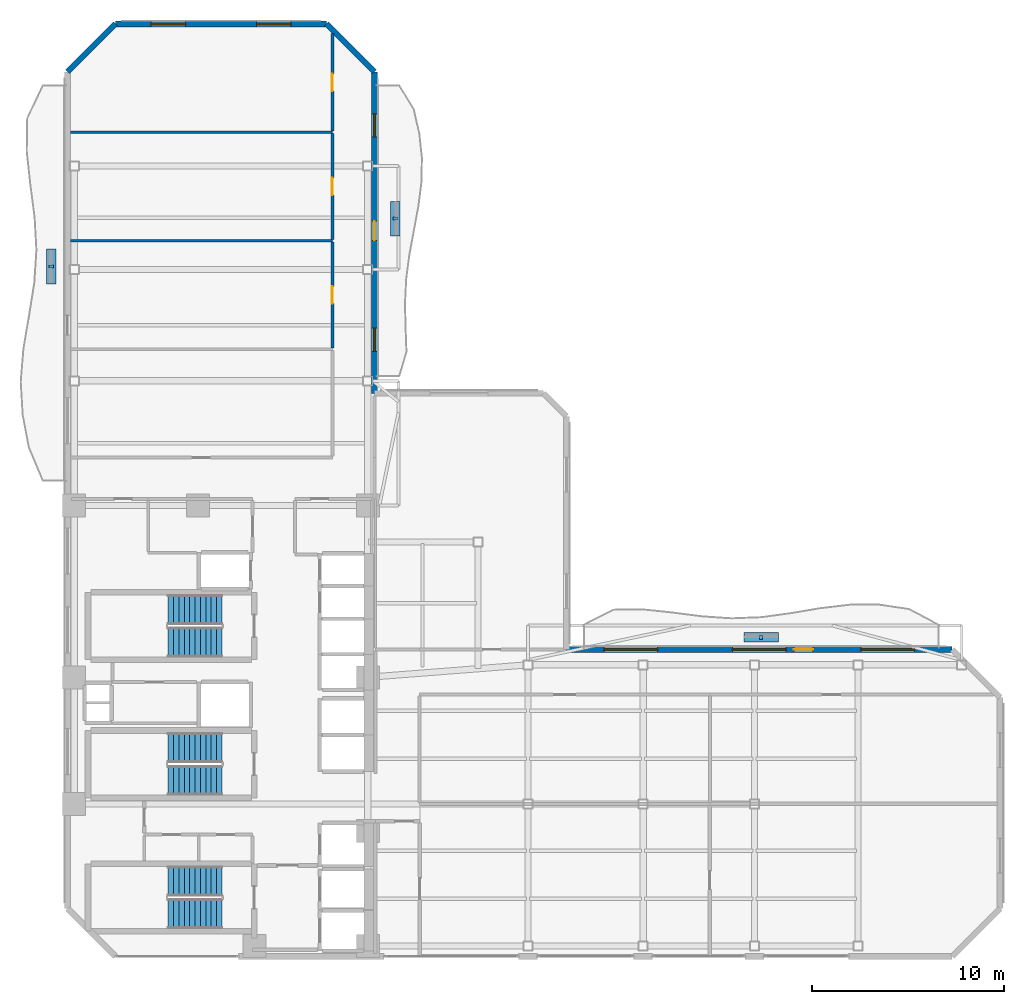
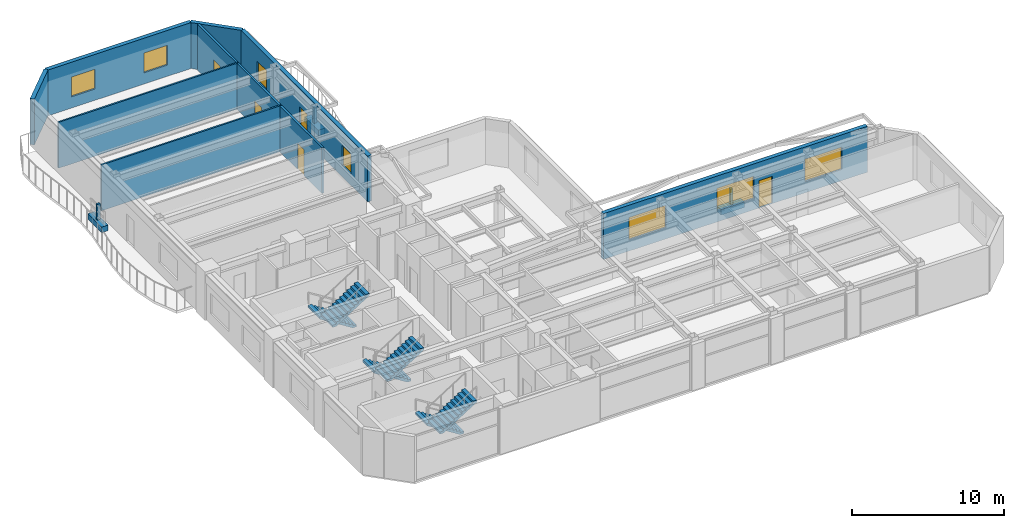
# One storey, part 12 of 15: 10 walls, 7 windows, 6 discrete accessories, 6 stair flights, 5 doors, 12 openings, 3 elements without a shape of their own.
"""IFC4 building model written with IfcOpenShell, lengths in metres."""

from ifc_helpers import new_model, si_unit, direction, frame, frame_2d, origin, origin_2d, place, context, subcontext, project, spatial, polyline, rectangle, outline, extrude, material, layer, layer_set, type_object, element, fill, aggregate, save


model = new_model("IFC4")

# Units and contexts
model_context = context("Model", 3, precision=1e-05, world=origin(), true_north=direction((0.0, 1.0)))
body_context = subcontext(model_context, "Body", "Model", "MODEL_VIEW")
ifc_project = project(units=[si_unit("LENGTHUNIT", "METRE"), si_unit("AREAUNIT", "SQUARE_METRE"), si_unit("VOLUMEUNIT", "CUBIC_METRE"), si_unit("PLANEANGLEUNIT", "RADIAN"), si_unit("MASSUNIT", "GRAM", prefix="KILO")], contexts=[model_context])

# Site, building, storey
site_placement = place(None, origin())
site = spatial("IfcSite", under=ifc_project, at=site_placement, CompositionType="ELEMENT")
building_placement = place(site_placement, origin())
building = spatial("IfcBuilding", under=site, at=building_placement, Name="Mawjaban Terraces University", CompositionType="ELEMENT")
storey_placement = place(building_placement, frame((0.0, 0.0, 119.0)))
storey = spatial("IfcBuildingStorey", under=building, at=storey_placement, Name="L28", CompositionType="ELEMENT", Elevation=119.0)

# Wall, opening, door
ifc_material_1 = material(Name="Fire-rated gypsum board on steel stud", Category="steel")
ifc_layer_1 = layer(ifc_material_1, 0.159912109375)
ifc_layer_set_1 = layer_set([ifc_layer_1], Name="Fire-rated gypsum board on steel stud")
wall_type_1 = type_object("IfcWallType", Name="CorridorPartition_160", PredefinedType="PARTITIONING", material=ifc_layer_set_1)
wall_1_placement = place(storey_placement, frame((35.800048828125, 37.241943359375, 0.0), z_axis=(0.0, 0.0, 1.0), x_axis=(0.0, -1.0, 0.0)))
wall_1 = element("IfcWall", 1, at=wall_1_placement, inside=storey, type_object=wall_type_1, Name="L28 Inner Terrace Gallery Corridor North Partition 32", PredefinedType="PARTITIONING", context=body_context, shape_type="SweptSolid", body=[
    extrude(rectangle(XDim=5.534912109375, YDim=0.159912109375, at=frame_2d((2.767578125, 0.0))), origin(), (0.0, 0.0, 1.0), 3.68994140625),
])
opening_1_placement = place(wall_1_placement, frame((2.31689453125, 0.0, 0.0)))
opening_1 = element("IfcOpeningElement", 2, at=opening_1_placement, cuts=wall_1, Name="Opening ID-090", PredefinedType="OPENING", context=body_context, shape_type="SweptSolid", body=[
    extrude(rectangle(XDim=0.89990234375, YDim=2.10009765625, at=frame_2d((0.449951171875, 1.050048828125))), frame((0.0, 0.08984375, 0.0), z_axis=(0.0, -1.0, 0.0), x_axis=(1.0, 0.0, 0.0)), (0.0, 0.0, 1.0), 0.179931640625),
])
ifc_material_2 = material(Name="Powder-coated steel frame and solid acoustic timber leaf", Category="steel")
door_type_1 = type_object("IfcDoorType", Name="OfficeDoor_900x2100", OperationType="NOTDEFINED", PredefinedType="DOOR", material=ifc_material_2)
door_1_placement = place(opening_1_placement, origin())
door_1 = element("IfcDoor", 3, at=door_1_placement, inside=storey, type_object=door_type_1, Name="L28 Academic Workspace 7 Door", OperationType="SINGLE_SWING_LEFT", OverallHeight=2.10009765625, OverallWidth=0.89990234375, PredefinedType="DOOR", context=body_context, shape_type="SweptSolid", body=[
    extrude(rectangle(XDim=0.89990234375, YDim=2.10009765625, at=frame_2d((0.449951171875, 1.050048828125))), frame((0.0, 0.02490234375, 0.0), z_axis=(0.0, -1.0, 0.0), x_axis=(1.0, 0.0, 0.0)), (0.0, 0.0, 1.0), 0.050048828125),
])
fill(opening_1, door_1)

wall_2_placement = place(storey_placement, frame((35.800048828125, 42.89306640625, 0.0), z_axis=(0.0, 0.0, 1.0), x_axis=(0.0, -1.0, 0.0)))
wall_2 = element("IfcWall", 4, at=wall_2_placement, inside=storey, type_object=wall_type_1, Name="L28 Inner Terrace Gallery Corridor North Partition 33", PredefinedType="PARTITIONING", context=body_context, shape_type="SweptSolid", body=[
    extrude(rectangle(XDim=5.5361328125, YDim=0.159912109375, at=frame_2d((2.76806640625, 0.0))), origin(), (0.0, 0.0, 1.0), 3.68994140625),
])
opening_2_placement = place(wall_2_placement, frame((2.318115234375, 0.0, 0.0)))
opening_2 = element("IfcOpeningElement", 5, at=opening_2_placement, cuts=wall_2, Name="Opening ID-090", PredefinedType="OPENING", context=body_context, shape_type="SweptSolid", body=[
    extrude(rectangle(XDim=0.89990234375, YDim=2.10009765625, at=frame_2d((0.449951171875, 1.050048828125))), frame((0.0, 0.08984375, 0.0), z_axis=(0.0, -1.0, 0.0), x_axis=(1.0, 0.0, 0.0)), (0.0, 0.0, 1.0), 0.179931640625),
])
door_2_placement = place(opening_2_placement, origin())
door_2 = element("IfcDoor", 6, at=door_2_placement, inside=storey, type_object=door_type_1, Name="L28 Faculty Office 8 Door", OperationType="SINGLE_SWING_RIGHT", OverallHeight=2.10009765625, OverallWidth=0.89990234375, PredefinedType="DOOR", context=body_context, shape_type="SweptSolid", body=[
    extrude(rectangle(XDim=0.89990234375, YDim=2.10009765625, at=frame_2d((0.449951171875, 1.050048828125))), frame((0.0, 0.02490234375, 0.0), z_axis=(0.0, -1.0, 0.0), x_axis=(1.0, 0.0, 0.0)), (0.0, 0.0, 1.0), 0.050048828125),
])
fill(opening_2, door_2)

wall_3_placement = place(storey_placement, frame((35.800048828125, 48.094970703125, 0.0), z_axis=(0.0, 0.0, 1.0), x_axis=(0.0, -1.0, 0.0)))
wall_3 = element("IfcWall", 7, at=wall_3_placement, inside=storey, type_object=wall_type_1, Name="L28 Inner Terrace Gallery Corridor North Partition 34", PredefinedType="PARTITIONING", context=body_context, shape_type="SweptSolid", body=[
    extrude(rectangle(XDim=5.0869140625, YDim=0.159912109375, at=frame_2d((2.54345703125, 0.0))), origin(), (0.0, 0.0, 1.0), 3.68994140625),
])
opening_3_placement = place(wall_3_placement, frame((2.093017578125, 0.0, 0.0)))
opening_3 = element("IfcOpeningElement", 8, at=opening_3_placement, cuts=wall_3, Name="Opening ID-090", PredefinedType="OPENING", context=body_context, shape_type="SweptSolid", body=[
    extrude(rectangle(XDim=0.89990234375, YDim=2.10009765625, at=frame_2d((0.449951171875, 1.050048828125))), frame((0.0, 0.08984375, 0.0), z_axis=(0.0, -1.0, 0.0), x_axis=(1.0, 0.0, 0.0)), (0.0, 0.0, 1.0), 0.179931640625),
])
door_3_placement = place(opening_3_placement, origin())
door_3 = element("IfcDoor", 9, at=door_3_placement, inside=storey, type_object=door_type_1, Name="L28 Departmental Office 9 Door", OperationType="SINGLE_SWING_LEFT", OverallHeight=2.10009765625, OverallWidth=0.89990234375, PredefinedType="DOOR", context=body_context, shape_type="SweptSolid", body=[
    extrude(rectangle(XDim=0.89990234375, YDim=2.10009765625, at=frame_2d((0.449951171875, 1.050048828125))), frame((0.0, 0.02490234375, 0.0), z_axis=(0.0, -1.0, 0.0), x_axis=(1.0, 0.0, 0.0)), (0.0, 0.0, 1.0), 0.050048828125),
])
fill(opening_3, door_3)

# Wall, openings, door, windows
ifc_material_3 = material(Name="Insulated terracotta rainscreen on concrete backup C40/50", Category="masonry")
ifc_layer_2 = layer(ifc_material_3, 0.300048828125)
ifc_layer_set_2 = layer_set([ifc_layer_2], Name="Insulated terracotta rainscreen on concrete backup C40/50")
wall_type_2 = type_object("IfcWallType", Name="ExtTerracottaWall_300", PredefinedType="SOLIDWALL", material=ifc_layer_set_2)
wall_4_placement = place(storey_placement, frame((68.10009765625, 16.0, 0.0), z_axis=(0.0, 0.0, 1.0), x_axis=(-1.0, 0.0, 0.0)))
wall_4 = element("IfcWall", 10, at=wall_4_placement, inside=storey, type_object=wall_type_2, Name="L28 Exterior Terracotta Wall 5", PredefinedType="SOLIDWALL", context=body_context, shape_type="SweptSolid", body=[
    extrude(rectangle(XDim=20.09619140625, YDim=0.300048828125, at=frame_2d((10.048095703125, 0.0))), origin(), (0.0, 0.0, 1.0), 3.68994140625),
])
opening_4_placement = place(wall_4_placement, frame((7.248046875, 0.0, 0.0)))
opening_4 = element("IfcOpeningElement", 11, at=opening_4_placement, cuts=wall_4, Name="Opening BD-100", PredefinedType="OPENING", context=body_context, shape_type="SweptSolid", body=[
    extrude(rectangle(XDim=1.0, YDim=2.199951171875, at=frame_2d((0.5, 1.10009765625))), frame((0.0, 0.159912109375, 0.0), z_axis=(0.0, -1.0, 0.0), x_axis=(1.0, 0.0, 0.0)), (0.0, 0.0, 1.0), 0.320068359375),
])
opening_5_placement = place(wall_4_placement, frame((1.948974609375, 0.0, 0.89990234375)))
opening_5 = element("IfcOpeningElement", 12, at=opening_5_placement, cuts=wall_4, Name="Opening W-09", PredefinedType="OPENING", context=body_context, shape_type="SweptSolid", body=[
    extrude(rectangle(XDim=2.800048828125, YDim=1.800048828125, at=frame_2d((1.39990234375, 0.89990234375))), frame((0.0, 0.159912109375, 0.0), z_axis=(0.0, -1.0, 0.0), x_axis=(1.0, 0.0, 0.0)), (0.0, 0.0, 1.0), 0.320068359375),
])
opening_6_placement = place(wall_4_placement, frame((8.64794921875, 0.0, 0.89990234375)))
opening_6 = element("IfcOpeningElement", 13, at=opening_6_placement, cuts=wall_4, Name="Opening W-09", PredefinedType="OPENING", context=body_context, shape_type="SweptSolid", body=[
    extrude(rectangle(XDim=2.800048828125, YDim=1.800048828125, at=frame_2d((1.39990234375, 0.89990234375))), frame((0.0, 0.159912109375, 0.0), z_axis=(0.0, -1.0, 0.0), x_axis=(1.0, 0.0, 0.0)), (0.0, 0.0, 1.0), 0.320068359375),
])
opening_7_placement = place(wall_4_placement, frame((15.346923828125, 0.0, 0.89990234375)))
opening_7 = element("IfcOpeningElement", 14, at=opening_7_placement, cuts=wall_4, Name="Opening W-09", PredefinedType="OPENING", context=body_context, shape_type="SweptSolid", body=[
    extrude(rectangle(XDim=2.800048828125, YDim=1.800048828125, at=frame_2d((1.39990234375, 0.89990234375))), frame((0.0, 0.159912109375, 0.0), z_axis=(0.0, -1.0, 0.0), x_axis=(1.0, 0.0, 0.0)), (0.0, 0.0, 1.0), 0.320068359375),
])
ifc_material_4 = material(Name="Thermally broken anodised aluminium and laminated safety glass", Category="aluminium")
door_type_2 = type_object("IfcDoorType", Name="BalconyGlazedDoor_1000x2200", OperationType="NOTDEFINED", PredefinedType="DOOR", material=ifc_material_4)
door_4_placement = place(opening_4_placement, origin())
door_4 = element("IfcDoor", 15, at=door_4_placement, inside=storey, type_object=door_type_2, Name="L28 Balcony Access Door inner_north", OperationType="SINGLE_SWING_LEFT", OverallHeight=2.199951171875, OverallWidth=1.0, PredefinedType="DOOR", context=body_context, shape_type="SweptSolid", body=[
    extrude(rectangle(XDim=1.0, YDim=2.199951171875, at=frame_2d((0.5, 1.10009765625))), frame((0.0, 0.02490234375, 0.0), z_axis=(0.0, -1.0, 0.0), x_axis=(1.0, 0.0, 0.0)), (0.0, 0.0, 1.0), 0.050048828125),
])
fill(opening_4, door_4)
ifc_material_5 = material(Name="Low-E solar-control double glazing in thermally broken aluminium frame", Category="aluminium")
window_type_1 = type_object("IfcWindowType", Name="Win_2800x1800", PartitioningType="SINGLE_PANEL", PredefinedType="WINDOW", material=ifc_material_5)
window_1_placement = place(opening_5_placement, origin())
window_1 = element("IfcWindow", 16, at=window_1_placement, inside=storey, type_object=window_type_1, Name="L28 Facade Window 5.1", OverallHeight=1.800048828125, OverallWidth=2.800048828125, PartitioningType="SINGLE_PANEL", PredefinedType="WINDOW", context=body_context, shape_type="SweptSolid", body=[
    extrude(rectangle(XDim=2.800048828125, YDim=1.800048828125, at=frame_2d((1.39990234375, 0.89990234375))), frame((0.0, 0.030029296875, 0.0), z_axis=(0.0, -1.0, 0.0), x_axis=(1.0, 0.0, 0.0)), (0.0, 0.0, 1.0), 0.06005859375),
])
fill(opening_5, window_1)
window_2_placement = place(opening_6_placement, origin())
window_2 = element("IfcWindow", 17, at=window_2_placement, inside=storey, type_object=window_type_1, Name="L28 Facade Window 5.2", OverallHeight=1.800048828125, OverallWidth=2.800048828125, PartitioningType="SINGLE_PANEL", PredefinedType="WINDOW", context=body_context, shape_type="SweptSolid", body=[
    extrude(rectangle(XDim=2.800048828125, YDim=1.800048828125, at=frame_2d((1.39990234375, 0.89990234375))), frame((0.0, 0.030029296875, 0.0), z_axis=(0.0, -1.0, 0.0), x_axis=(1.0, 0.0, 0.0)), (0.0, 0.0, 1.0), 0.06005859375),
])
fill(opening_6, window_2)
window_3_placement = place(opening_7_placement, origin())
window_3 = element("IfcWindow", 18, at=window_3_placement, inside=storey, type_object=window_type_1, Name="L28 Facade Window 5.3", OverallHeight=1.800048828125, OverallWidth=2.800048828125, PartitioningType="SINGLE_PANEL", PredefinedType="WINDOW", context=body_context, shape_type="SweptSolid", body=[
    extrude(rectangle(XDim=2.800048828125, YDim=1.800048828125, at=frame_2d((1.39990234375, 0.89990234375))), frame((0.0, 0.030029296875, 0.0), z_axis=(0.0, -1.0, 0.0), x_axis=(1.0, 0.0, 0.0)), (0.0, 0.0, 1.0), 0.06005859375),
])
fill(opening_7, window_3)

wall_5_placement = place(storey_placement, frame((38.0, 29.35009765625, 0.0), z_axis=(0.0, 0.0, 1.0), x_axis=(0.0, 1.0, 0.0)))
wall_5 = element("IfcWall", 19, at=wall_5_placement, inside=storey, type_object=wall_type_2, Name="L28 Exterior Terracotta Wall 9", PredefinedType="SOLIDWALL", context=body_context, shape_type="SweptSolid", body=[
    extrude(rectangle(XDim=16.75, YDim=0.300048828125, at=frame_2d((8.375, 0.0))), origin(), (0.0, 0.0, 1.0), 3.68994140625),
])
opening_8_placement = place(wall_5_placement, frame((7.97509765625, 0.0, 0.0)))
opening_8 = element("IfcOpeningElement", 20, at=opening_8_placement, cuts=wall_5, Name="Opening BD-100", PredefinedType="OPENING", context=body_context, shape_type="SweptSolid", body=[
    extrude(rectangle(XDim=1.0, YDim=2.199951171875, at=frame_2d((0.5, 1.10009765625))), frame((0.0, 0.159912109375, 0.0), z_axis=(0.0, -1.0, 0.0), x_axis=(1.0, 0.0, 0.0)), (0.0, 0.0, 1.0), 0.320068359375),
])
opening_9_placement = place(wall_5_placement, frame((2.19189453125, 0.0, 0.89990234375)))
opening_9 = element("IfcOpeningElement", 21, at=opening_9_placement, cuts=wall_5, Name="Opening W-01", PredefinedType="OPENING", context=body_context, shape_type="SweptSolid", body=[
    extrude(rectangle(XDim=1.199951171875, YDim=1.60009765625, at=frame_2d((0.60009765625, 0.800048828125))), frame((0.0, 0.159912109375, 0.0), z_axis=(0.0, -1.0, 0.0), x_axis=(1.0, 0.0, 0.0)), (0.0, 0.0, 1.0), 0.320068359375),
])
opening_10_placement = place(wall_5_placement, frame((13.35791015625, 0.0, 0.89990234375)))
opening_10 = element("IfcOpeningElement", 22, at=opening_10_placement, cuts=wall_5, Name="Opening W-01", PredefinedType="OPENING", context=body_context, shape_type="SweptSolid", body=[
    extrude(rectangle(XDim=1.199951171875, YDim=1.60009765625, at=frame_2d((0.60009765625, 0.800048828125))), frame((0.0, 0.159912109375, 0.0), z_axis=(0.0, -1.0, 0.0), x_axis=(1.0, 0.0, 0.0)), (0.0, 0.0, 1.0), 0.320068359375),
])
door_5_placement = place(opening_8_placement, origin())
door_5 = element("IfcDoor", 23, at=door_5_placement, inside=storey, type_object=door_type_2, Name="L28 Balcony Access Door inner_east", OperationType="SINGLE_SWING_LEFT", OverallHeight=2.199951171875, OverallWidth=1.0, PredefinedType="DOOR", context=body_context, shape_type="SweptSolid", body=[
    extrude(rectangle(XDim=1.0, YDim=2.199951171875, at=frame_2d((0.5, 1.10009765625))), frame((0.0, 0.02490234375, 0.0), z_axis=(0.0, -1.0, 0.0), x_axis=(1.0, 0.0, 0.0)), (0.0, 0.0, 1.0), 0.050048828125),
])
fill(opening_8, door_5)
window_type_2 = type_object("IfcWindowType", Name="Win_1200x1600", PartitioningType="SINGLE_PANEL", PredefinedType="WINDOW", material=ifc_material_5)
window_4_placement = place(opening_9_placement, origin())
window_4 = element("IfcWindow", 24, at=window_4_placement, inside=storey, type_object=window_type_2, Name="L28 Facade Window 9.1", OverallHeight=1.60009765625, OverallWidth=1.199951171875, PartitioningType="SINGLE_PANEL", PredefinedType="WINDOW", context=body_context, shape_type="SweptSolid", body=[
    extrude(rectangle(XDim=1.199951171875, YDim=1.60009765625, at=frame_2d((0.60009765625, 0.800048828125))), frame((0.0, 0.030029296875, 0.0), z_axis=(0.0, -1.0, 0.0), x_axis=(1.0, 0.0, 0.0)), (0.0, 0.0, 1.0), 0.06005859375),
])
fill(opening_9, window_4)
window_5_placement = place(opening_10_placement, origin())
window_5 = element("IfcWindow", 25, at=window_5_placement, inside=storey, type_object=window_type_2, Name="L28 Facade Window 9.3", OverallHeight=1.60009765625, OverallWidth=1.199951171875, PartitioningType="SINGLE_PANEL", PredefinedType="WINDOW", context=body_context, shape_type="SweptSolid", body=[
    extrude(rectangle(XDim=1.199951171875, YDim=1.60009765625, at=frame_2d((0.60009765625, 0.800048828125))), frame((0.0, 0.030029296875, 0.0), z_axis=(0.0, -1.0, 0.0), x_axis=(1.0, 0.0, 0.0)), (0.0, 0.0, 1.0), 0.06005859375),
])
fill(opening_10, window_5)

# Wall
wall_6_placement = place(storey_placement, frame((38.0, 46.10009765625, 0.0), z_axis=(0.0, 0.0, 1.0), x_axis=(-0.707106781187, 0.707106781187, 0.0)))
element("IfcWall", 26, at=wall_6_placement, inside=storey, type_object=wall_type_2, Name="L28 Exterior Terracotta Wall 10", PredefinedType="SOLIDWALL", context=body_context, shape_type="SweptSolid", body=[
    extrude(rectangle(XDim=3.53564453125, YDim=0.300048828125, at=frame_2d((1.767822265625, 0.0))), origin(), (0.0, 0.0, 1.0), 3.68994140625),
])

# Wall, openings, windows
wall_7_placement = place(storey_placement, frame((35.5, 48.60009765625, 0.0), z_axis=(0.0, 0.0, 1.0), x_axis=(-1.0, 0.0, 0.0)))
wall_7 = element("IfcWall", 27, at=wall_7_placement, inside=storey, type_object=wall_type_2, Name="L28 Exterior Terracotta Wall 11", PredefinedType="SOLIDWALL", context=body_context, shape_type="SweptSolid", body=[
    extrude(rectangle(XDim=11.0, YDim=0.300048828125, at=frame_2d((5.5, 0.0))), origin(), (0.0, 0.0, 1.0), 3.68994140625),
])
opening_11_placement = place(wall_7_placement, frame((1.85009765625, 0.0, 0.89990234375)))
opening_11 = element("IfcOpeningElement", 28, at=opening_11_placement, cuts=wall_7, Name="Opening W-03", PredefinedType="OPENING", context=body_context, shape_type="SweptSolid", body=[
    extrude(rectangle(XDim=1.800048828125, YDim=1.60009765625, at=frame_2d((0.89990234375, 0.800048828125))), frame((0.0, 0.159912109375, 0.0), z_axis=(0.0, -1.0, 0.0), x_axis=(1.0, 0.0, 0.0)), (0.0, 0.0, 1.0), 0.320068359375),
])
opening_12_placement = place(wall_7_placement, frame((7.35009765625, 0.0, 0.89990234375)))
opening_12 = element("IfcOpeningElement", 29, at=opening_12_placement, cuts=wall_7, Name="Opening W-03", PredefinedType="OPENING", context=body_context, shape_type="SweptSolid", body=[
    extrude(rectangle(XDim=1.800048828125, YDim=1.60009765625, at=frame_2d((0.89990234375, 0.800048828125))), frame((0.0, 0.159912109375, 0.0), z_axis=(0.0, -1.0, 0.0), x_axis=(1.0, 0.0, 0.0)), (0.0, 0.0, 1.0), 0.320068359375),
])
window_type_3 = type_object("IfcWindowType", Name="Win_1800x1600", PartitioningType="SINGLE_PANEL", PredefinedType="WINDOW", material=ifc_material_5)
window_6_placement = place(opening_11_placement, origin())
window_6 = element("IfcWindow", 30, at=window_6_placement, inside=storey, type_object=window_type_3, Name="L28 Facade Window 11.1", OverallHeight=1.60009765625, OverallWidth=1.800048828125, PartitioningType="SINGLE_PANEL", PredefinedType="WINDOW", context=body_context, shape_type="SweptSolid", body=[
    extrude(rectangle(XDim=1.800048828125, YDim=1.60009765625, at=frame_2d((0.89990234375, 0.800048828125))), frame((0.0, 0.030029296875, 0.0), z_axis=(0.0, -1.0, 0.0), x_axis=(1.0, 0.0, 0.0)), (0.0, 0.0, 1.0), 0.06005859375),
])
fill(opening_11, window_6)
window_7_placement = place(opening_12_placement, origin())
window_7 = element("IfcWindow", 31, at=window_7_placement, inside=storey, type_object=window_type_3, Name="L28 Facade Window 11.2", OverallHeight=1.60009765625, OverallWidth=1.800048828125, PartitioningType="SINGLE_PANEL", PredefinedType="WINDOW", context=body_context, shape_type="SweptSolid", body=[
    extrude(rectangle(XDim=1.800048828125, YDim=1.60009765625, at=frame_2d((0.89990234375, 0.800048828125))), frame((0.0, 0.030029296875, 0.0), z_axis=(0.0, -1.0, 0.0), x_axis=(1.0, 0.0, 0.0)), (0.0, 0.0, 1.0), 0.06005859375),
])
fill(opening_12, window_7)

# Walls
wall_8_placement = place(storey_placement, frame((24.5, 48.60009765625, 0.0), z_axis=(0.0, 0.0, 1.0), x_axis=(-0.707106781187, -0.707106781187, 0.0)))
element("IfcWall", 32, at=wall_8_placement, inside=storey, type_object=wall_type_2, Name="L28 Exterior Terracotta Wall 12", PredefinedType="SOLIDWALL", context=body_context, shape_type="SweptSolid", body=[
    extrude(rectangle(XDim=3.53564453125, YDim=0.300048828125, at=frame_2d((1.767822265625, 0.0))), origin(), (0.0, 0.0, 1.0), 3.68994140625),
])
ifc_material_6 = material(Name="Gypsum plasterboard on steel stud", Category="steel")
ifc_layer_3 = layer(ifc_material_6, 0.125)
ifc_layer_set_3 = layer_set([ifc_layer_3], Name="Gypsum plasterboard on steel stud")
wall_type_3 = type_object("IfcWallType", Name="OfficePartition_125", PredefinedType="PARTITIONING", material=ifc_layer_set_3)
for number, where, z_axis, x_axis, name in (
    (33, (35.800048828125, 37.300048828125, 0.0), (0.0, 0.0, 1.0), (-1.0, 0.0, 0.0), "L28 Academic Workspace 7 Partition 13"),
    (34, (35.800048828125, 42.949951171875, 0.0), (0.0, 0.0, 1.0), (-1.0, 0.0, 0.0), "L28 Faculty Office 8 Partition 14"),
):
    element("IfcWall", number, at=place(storey_placement, frame(where, z_axis=z_axis, x_axis=x_axis)), inside=storey, type_object=wall_type_3, Name=name, PredefinedType="PARTITIONING", context=body_context, shape_type="SweptSolid", body=[
        extrude(rectangle(XDim=13.655029296875, YDim=0.125, at=frame_2d((6.82763671875, 0.0))), origin(), (0.0, 0.0, 1.0), 3.68994140625),
    ])

# Stair, stair flights
ifc_material_7 = material(Name="Concrete C40/50", Category="concrete")
stair_type = type_object("IfcStairType", Name="Stair_Core1550_H39", PredefinedType="HALF_TURN_STAIR", material=ifc_material_7)
stair_1_placement = place(storey_placement, origin())
stair_1 = element("IfcStair", 35, at=stair_1_placement, inside=storey, type_object=stair_type, Name="L28 Core Exit Stair 1", PredefinedType="HALF_TURN_STAIR")
stair_flight_type = type_object("IfcStairFlightType", Name="Flight_Core1550_H39", PredefinedType="STRAIGHT", material=ifc_material_7)
stair_flight_1_placement = place(storey_placement, frame((30.050048828125, 3.925048828125, 0.0), z_axis=(0.0, 0.0, 1.0), x_axis=(-1.0, 0.0, 0.0)))
stair_flight_1 = element("IfcStairFlight", 36, at=stair_flight_1_placement, type_object=stair_flight_type, Name="ST-1 flight 1", NumberOfRisers=11, NumberOfTreads=10, PredefinedType="STRAIGHT", RiserHeight=0.177272727, TreadLength=0.28, context=body_context, shape_type="SweptSolid", body=[
    extrude(outline(polyline([(0.0, 0.0), (0.0, 0.17724609375), (0.280029296875, 0.17724609375), (0.280029296875, 0.3544921875), (0.56005859375, 0.3544921875), (0.56005859375, 0.53173828125), (0.840087890625, 0.53173828125), (0.840087890625, 0.708984375), (1.1201171875, 0.708984375), (1.1201171875, 0.886474609375), (1.39990234375, 0.886474609375), (1.39990234375, 1.063720703125), (1.679931640625, 1.063720703125), (1.679931640625, 1.240966796875), (1.9599609375, 1.240966796875), (1.9599609375, 1.418212890625), (2.239990234375, 1.418212890625), (2.239990234375, 1.595458984375), (2.52001953125, 1.595458984375), (2.52001953125, 1.772705078125), (2.800048828125, 1.772705078125), (2.800048828125, 1.949951171875), (2.800048828125, 1.59521484375), (0.2802734375, 0.0), (0.0, 0.0)])), frame((0.0, 0.77490234375, 0.0), z_axis=(0.0, -1.0, 0.0), x_axis=(1.0, 0.0, 0.0)), (0.0, 0.0, 1.0), 1.550048828125),
])
stair_flight_2_placement = place(storey_placement, frame((27.25, 2.22509765625, 1.949951171875), z_axis=(0.0, 0.0, 1.0), x_axis=(1.0, 0.0, 0.0)))
stair_flight_2 = element("IfcStairFlight", 37, at=stair_flight_2_placement, type_object=stair_flight_type, Name="ST-1 flight 2", NumberOfRisers=11, NumberOfTreads=10, PredefinedType="STRAIGHT", RiserHeight=0.177272727, TreadLength=0.28, context=body_context, shape_type="SweptSolid", body=[
    extrude(outline(polyline([(0.0, 0.0), (0.0, 0.17724609375), (0.280029296875, 0.17724609375), (0.280029296875, 0.3544921875), (0.56005859375, 0.3544921875), (0.56005859375, 0.53173828125), (0.840087890625, 0.53173828125), (0.840087890625, 0.708984375), (1.1201171875, 0.708984375), (1.1201171875, 0.886474609375), (1.39990234375, 0.886474609375), (1.39990234375, 1.063720703125), (1.679931640625, 1.063720703125), (1.679931640625, 1.240966796875), (1.9599609375, 1.240966796875), (1.9599609375, 1.418212890625), (2.239990234375, 1.418212890625), (2.239990234375, 1.595458984375), (2.52001953125, 1.595458984375), (2.52001953125, 1.772705078125), (2.800048828125, 1.772705078125), (2.800048828125, 1.949951171875), (2.800048828125, 1.59521484375), (0.2802734375, 0.0), (0.0, 0.0)])), frame((0.0, 0.77490234375, 0.0), z_axis=(0.0, -1.0, 0.0), x_axis=(1.0, 0.0, 0.0)), (0.0, 0.0, 1.0), 1.550048828125),
])
aggregate(stair_1, [stair_flight_1, stair_flight_2])

stair_2_placement = place(storey_placement, origin())
stair_2 = element("IfcStair", 38, at=stair_2_placement, inside=storey, type_object=stair_type, Name="L28 Core Exit Stair 2", PredefinedType="HALF_TURN_STAIR")
stair_flight_3_placement = place(storey_placement, frame((30.050048828125, 18.074951171875, 0.0), z_axis=(0.0, 0.0, 1.0), x_axis=(-1.0, 0.0, 0.0)))
stair_flight_3 = element("IfcStairFlight", 39, at=stair_flight_3_placement, type_object=stair_flight_type, Name="ST-2 flight 1", NumberOfRisers=11, NumberOfTreads=10, PredefinedType="STRAIGHT", RiserHeight=0.177272727, TreadLength=0.28, context=body_context, shape_type="SweptSolid", body=[
    extrude(outline(polyline([(0.0, 0.0), (0.0, 0.17724609375), (0.280029296875, 0.17724609375), (0.280029296875, 0.3544921875), (0.56005859375, 0.3544921875), (0.56005859375, 0.53173828125), (0.840087890625, 0.53173828125), (0.840087890625, 0.708984375), (1.1201171875, 0.708984375), (1.1201171875, 0.886474609375), (1.39990234375, 0.886474609375), (1.39990234375, 1.063720703125), (1.679931640625, 1.063720703125), (1.679931640625, 1.240966796875), (1.9599609375, 1.240966796875), (1.9599609375, 1.418212890625), (2.239990234375, 1.418212890625), (2.239990234375, 1.595458984375), (2.52001953125, 1.595458984375), (2.52001953125, 1.772705078125), (2.800048828125, 1.772705078125), (2.800048828125, 1.949951171875), (2.800048828125, 1.59521484375), (0.2802734375, 0.0), (0.0, 0.0)])), frame((0.0, 0.77490234375, 0.0), z_axis=(0.0, -1.0, 0.0), x_axis=(1.0, 0.0, 0.0)), (0.0, 0.0, 1.0), 1.550048828125),
])
stair_flight_4_placement = place(storey_placement, frame((27.25, 16.375, 1.949951171875), z_axis=(0.0, 0.0, 1.0), x_axis=(1.0, 0.0, 0.0)))
stair_flight_4 = element("IfcStairFlight", 40, at=stair_flight_4_placement, type_object=stair_flight_type, Name="ST-2 flight 2", NumberOfRisers=11, NumberOfTreads=10, PredefinedType="STRAIGHT", RiserHeight=0.177272727, TreadLength=0.28, context=body_context, shape_type="SweptSolid", body=[
    extrude(outline(polyline([(0.0, 0.0), (0.0, 0.17724609375), (0.280029296875, 0.17724609375), (0.280029296875, 0.3544921875), (0.56005859375, 0.3544921875), (0.56005859375, 0.53173828125), (0.840087890625, 0.53173828125), (0.840087890625, 0.708984375), (1.1201171875, 0.708984375), (1.1201171875, 0.886474609375), (1.39990234375, 0.886474609375), (1.39990234375, 1.063720703125), (1.679931640625, 1.063720703125), (1.679931640625, 1.240966796875), (1.9599609375, 1.240966796875), (1.9599609375, 1.418212890625), (2.239990234375, 1.418212890625), (2.239990234375, 1.595458984375), (2.52001953125, 1.595458984375), (2.52001953125, 1.772705078125), (2.800048828125, 1.772705078125), (2.800048828125, 1.949951171875), (2.800048828125, 1.59521484375), (0.2802734375, 0.0), (0.0, 0.0)])), frame((0.0, 0.77490234375, 0.0), z_axis=(0.0, -1.0, 0.0), x_axis=(1.0, 0.0, 0.0)), (0.0, 0.0, 1.0), 1.550048828125),
])
aggregate(stair_2, [stair_flight_3, stair_flight_4])

stair_3_placement = place(storey_placement, origin())
stair_3 = element("IfcStair", 41, at=stair_3_placement, inside=storey, type_object=stair_type, Name="L28 Core Exit Stair 3", PredefinedType="HALF_TURN_STAIR")
stair_flight_5_placement = place(storey_placement, frame((30.050048828125, 10.875, 0.0), z_axis=(0.0, 0.0, 1.0), x_axis=(-1.0, 0.0, 0.0)))
stair_flight_5 = element("IfcStairFlight", 42, at=stair_flight_5_placement, type_object=stair_flight_type, Name="ST-3 flight 1", NumberOfRisers=11, NumberOfTreads=10, PredefinedType="STRAIGHT", RiserHeight=0.177272727, TreadLength=0.28, context=body_context, shape_type="SweptSolid", body=[
    extrude(outline(polyline([(0.0, 0.0), (0.0, 0.17724609375), (0.280029296875, 0.17724609375), (0.280029296875, 0.3544921875), (0.56005859375, 0.3544921875), (0.56005859375, 0.53173828125), (0.840087890625, 0.53173828125), (0.840087890625, 0.708984375), (1.1201171875, 0.708984375), (1.1201171875, 0.886474609375), (1.39990234375, 0.886474609375), (1.39990234375, 1.063720703125), (1.679931640625, 1.063720703125), (1.679931640625, 1.240966796875), (1.9599609375, 1.240966796875), (1.9599609375, 1.418212890625), (2.239990234375, 1.418212890625), (2.239990234375, 1.595458984375), (2.52001953125, 1.595458984375), (2.52001953125, 1.772705078125), (2.800048828125, 1.772705078125), (2.800048828125, 1.949951171875), (2.800048828125, 1.59521484375), (0.2802734375, 0.0), (0.0, 0.0)])), frame((0.0, 0.77490234375, 0.0), z_axis=(0.0, -1.0, 0.0), x_axis=(1.0, 0.0, 0.0)), (0.0, 0.0, 1.0), 1.550048828125),
])
stair_flight_6_placement = place(storey_placement, frame((27.25, 9.175048828125, 1.949951171875), z_axis=(0.0, 0.0, 1.0), x_axis=(1.0, 0.0, 0.0)))
stair_flight_6 = element("IfcStairFlight", 43, at=stair_flight_6_placement, type_object=stair_flight_type, Name="ST-3 flight 2", NumberOfRisers=11, NumberOfTreads=10, PredefinedType="STRAIGHT", RiserHeight=0.177272727, TreadLength=0.28, context=body_context, shape_type="SweptSolid", body=[
    extrude(outline(polyline([(0.0, 0.0), (0.0, 0.17724609375), (0.280029296875, 0.17724609375), (0.280029296875, 0.3544921875), (0.56005859375, 0.3544921875), (0.56005859375, 0.53173828125), (0.840087890625, 0.53173828125), (0.840087890625, 0.708984375), (1.1201171875, 0.708984375), (1.1201171875, 0.886474609375), (1.39990234375, 0.886474609375), (1.39990234375, 1.063720703125), (1.679931640625, 1.063720703125), (1.679931640625, 1.240966796875), (1.9599609375, 1.240966796875), (1.9599609375, 1.418212890625), (2.239990234375, 1.418212890625), (2.239990234375, 1.595458984375), (2.52001953125, 1.595458984375), (2.52001953125, 1.772705078125), (2.800048828125, 1.772705078125), (2.800048828125, 1.949951171875), (2.800048828125, 1.59521484375), (0.2802734375, 0.0), (0.0, 0.0)])), frame((0.0, 0.77490234375, 0.0), z_axis=(0.0, -1.0, 0.0), x_axis=(1.0, 0.0, 0.0)), (0.0, 0.0, 1.0), 1.550048828125),
])
aggregate(stair_3, [stair_flight_5, stair_flight_6])

# Discrete accessories
ifc_material_8 = material(Name="Stainless steel 316L", Category="steel")
discrete_accessory_type_1 = type_object("IfcDiscreteAccessoryType", Name="FacadeScreenBracket_Steel", PredefinedType="BRACKET", material=ifc_material_8)
for number, where, z_axis, x_axis, name in (
    (44, (21.159912109375, 35.958984375, 0.419921875), (0.0, 0.0, 1.0), (0.0, 1.0, 0.0), "L28 Balcony Screen Support Bracket west"),
    (45, (58.152099609375, 16.64501953125, 0.419921875), (0.0, 0.0, 1.0), (1.0, 0.0, 0.0), "L28 Balcony Screen Support Bracket inner_north"),
    (46, (39.083984375, 38.4560546875, 0.419921875), (0.0, 0.0, 1.0), (0.0, 1.0, 0.0), "L28 Balcony Screen Support Bracket inner_east"),
):
    element("IfcDiscreteAccessory", number, at=place(storey_placement, frame(where, z_axis=z_axis, x_axis=x_axis)), inside=storey, type_object=discrete_accessory_type_1, Name=name, PredefinedType="BRACKET", context=body_context, shape_type="SweptSolid", body=[
        extrude(rectangle(XDim=0.159912109375, YDim=0.239990234375, at=origin_2d()), origin(), (0.0, 0.0, 1.0), 1.300048828125),
    ])
ifc_material_9 = material(Name="Precast architectural terracotta planter with engineered planting soil", Category="masonry")
discrete_accessory_type_2 = type_object("IfcDiscreteAccessoryType", Name="IrrigatedPlanterTrough_450", PredefinedType="USERDEFINED", material=ifc_material_9)
for number, where, z_axis, x_axis, name in (
    (47, (21.159912109375, 35.958984375, -0.0048828125), (0.0, 0.0, 1.0), (0.0, 1.0, 0.0), "L28 Balcony Irrigated Planter west"),
    (48, (58.152099609375, 16.64501953125, -0.0048828125), (0.0, 0.0, 1.0), (1.0, 0.0, 0.0), "L28 Balcony Irrigated Planter inner_north"),
    (49, (39.083984375, 38.4560546875, -0.0048828125), (0.0, 0.0, 1.0), (0.0, 1.0, 0.0), "L28 Balcony Irrigated Planter inner_east"),
):
    element("IfcDiscreteAccessory", number, at=place(storey_placement, frame(where, z_axis=z_axis, x_axis=x_axis)), inside=storey, type_object=discrete_accessory_type_2, Name=name, ObjectType="PLANTER", PredefinedType="USERDEFINED", context=body_context, shape_type="SweptSolid", body=[
        extrude(rectangle(XDim=1.800048828125, YDim=0.5, at=origin_2d()), origin(), (0.0, 0.0, 1.0), 0.449951171875),
    ])

save(model, "model.ifc")
